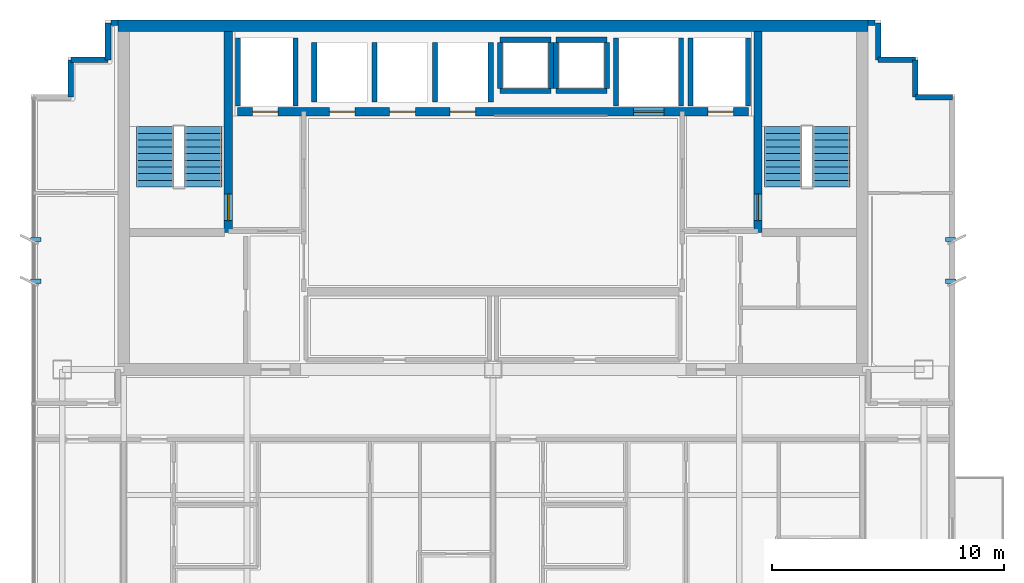
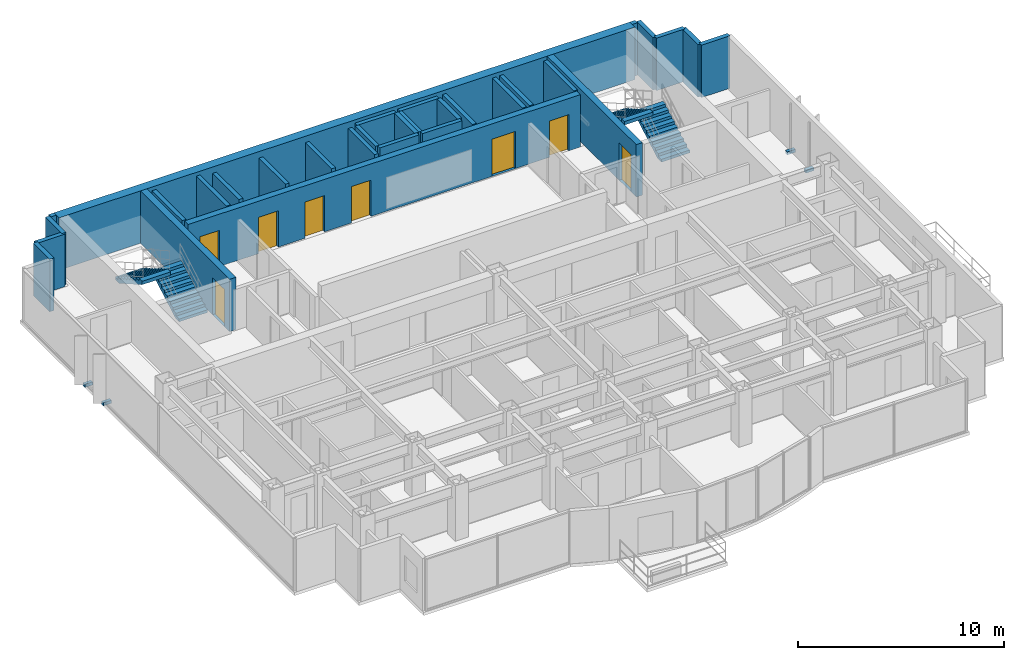
# One storey, part 9 of 11: 31 walls, 8 doors, 4 discrete accessories, 4 stair flights, 8 openings, 2 elements without a shape of their own.
"""IFC4 building model written with IfcOpenShell, lengths in metres."""

from ifc_helpers import new_model, si_unit, direction, frame, frame_2d, origin, origin_2d, place, context, subcontext, project, spatial, polyline, rectangle, outline, extrude, source, transform, mapped, material, layer, layer_set, type_object, element, fill, aggregate, save


model = new_model("IFC4")

# Units and contexts
model_context = context("Model", 3, precision=1e-05, world=origin(), true_north=direction((0.0, 1.0)))
body_context = subcontext(model_context, "Body", "Model", "MODEL_VIEW")
ifc_project = project(units=[si_unit("LENGTHUNIT", "METRE"), si_unit("AREAUNIT", "SQUARE_METRE"), si_unit("VOLUMEUNIT", "CUBIC_METRE"), si_unit("PLANEANGLEUNIT", "RADIAN"), si_unit("MASSUNIT", "GRAM", prefix="KILO")], contexts=[model_context])

# Site, building, storey
site_placement = place(None, origin())
site = spatial("IfcSite", under=ifc_project, at=site_placement, CompositionType="ELEMENT")
building_placement = place(site_placement, origin())
building = spatial("IfcBuilding", under=site, at=building_placement, Name="Qianlan Lanfeng Residences", CompositionType="ELEMENT")
storey_placement = place(building_placement, frame((0.0, 0.0, 223.10009765625)))
storey = spatial("IfcBuildingStorey", under=building, at=storey_placement, Name="L61", CompositionType="ELEMENT", Elevation=223.10009765625)

# Wall, opening, door
ifc_material_1 = material(Name="Concrete C49", Category="concrete")
ifc_layer_1 = layer(ifc_material_1, 0.35009765625)
ifc_layer_set_1 = layer_set([ifc_layer_1], Name="Concrete C49")
wall_type_1 = type_object("IfcWallType", Name="CW-RC-350", PredefinedType="SHEAR", material=ifc_layer_set_1)
wall_1_placement = place(storey_placement, frame((15.10009765625, 31.10009765625, 0.0), z_axis=(0.0, 0.0, 1.0), x_axis=(0.0, 1.0, 0.0)))
wall_1 = element("IfcWall", 1, at=wall_1_placement, inside=storey, type_object=wall_type_1, Name="L61 Core Shear Wall ST1E", PredefinedType="SHEAR", context=body_context, shape_type="SweptSolid", body=[
    extrude(rectangle(XDim=8.64990234375, YDim=0.35009765625, at=frame_2d((4.324951171875, 0.0))), origin(), (0.0, 0.0, 1.0), 3.10986328125),
])
opening_1_placement = place(wall_1_placement, frame((0.510009765625, 0.0, 0.0)))
opening_1 = element("IfcOpeningElement", 2, at=opening_1_placement, cuts=wall_1, Name="Opening L61-D07", PredefinedType="OPENING", context=body_context, shape_type="SweptSolid", body=[
    extrude(rectangle(XDim=1.14990234375, YDim=2.199951171875, at=frame_2d((0.574951171875, 1.10009765625))), frame((0.0, 0.18505859375, 0.0), z_axis=(0.0, -1.0, 0.0), x_axis=(1.0, 0.0, 0.0)), (0.0, 0.0, 1.0), 0.3701171875),
])
ifc_material_2 = material(Name="Painted Galvanised Steel Fire Door", Category="steel")
door_type_1 = type_object("IfcDoorType", Name="DT-ST1", OperationType="NOTDEFINED", PredefinedType="DOOR", material=ifc_material_2)
door_1_placement = place(opening_1_placement, frame((1.14990234375, 0.0, 0.0), z_axis=(0.0, 0.0, 1.0), x_axis=(-1.0, 0.0, 0.0)))
door_1 = element("IfcDoor", 3, at=door_1_placement, inside=storey, type_object=door_type_1, Name="L61 Exit Stair ST-1 Door L61-D07 (DT-ST1)", OperationType="SINGLE_SWING_RIGHT", OverallHeight=2.199951171875, OverallWidth=1.14990234375, PredefinedType="DOOR", context=body_context, shape_type="SweptSolid", body=[
    extrude(rectangle(XDim=1.14990234375, YDim=2.199951171875, at=frame_2d((0.574951171875, 1.10009765625))), frame((0.0, 0.02490234375, 0.0), z_axis=(0.0, -1.0, 0.0), x_axis=(1.0, 0.0, 0.0)), (0.0, 0.0, 1.0), 0.050048828125),
])
fill(opening_1, door_1)

wall_2_placement = place(storey_placement, frame((37.89990234375, 31.10009765625, 0.0), z_axis=(0.0, 0.0, 1.0), x_axis=(0.0, 1.0, 0.0)))
wall_2 = element("IfcWall", 4, at=wall_2_placement, inside=storey, type_object=wall_type_1, Name="L61 Core Shear Wall ST2W", PredefinedType="SHEAR", context=body_context, shape_type="SweptSolid", body=[
    extrude(rectangle(XDim=8.64990234375, YDim=0.35009765625, at=frame_2d((4.324951171875, 0.0))), origin(), (0.0, 0.0, 1.0), 3.10986328125),
])
opening_2_placement = place(wall_2_placement, frame((0.510009765625, 0.0, 0.0)))
opening_2 = element("IfcOpeningElement", 5, at=opening_2_placement, cuts=wall_2, Name="Opening L61-D08", PredefinedType="OPENING", context=body_context, shape_type="SweptSolid", body=[
    extrude(rectangle(XDim=1.14990234375, YDim=2.199951171875, at=frame_2d((0.574951171875, 1.10009765625))), frame((0.0, 0.18505859375, 0.0), z_axis=(0.0, -1.0, 0.0), x_axis=(1.0, 0.0, 0.0)), (0.0, 0.0, 1.0), 0.3701171875),
])
door_2_placement = place(opening_2_placement, origin())
door_2 = element("IfcDoor", 6, at=door_2_placement, inside=storey, type_object=door_type_1, Name="L61 Exit Stair ST-2 Door L61-D08 (DT-ST1)", OperationType="SINGLE_SWING_RIGHT", OverallHeight=2.199951171875, OverallWidth=1.14990234375, PredefinedType="DOOR", context=body_context, shape_type="SweptSolid", body=[
    extrude(rectangle(XDim=1.14990234375, YDim=2.199951171875, at=frame_2d((0.574951171875, 1.10009765625))), frame((0.0, 0.02490234375, 0.0), z_axis=(0.0, -1.0, 0.0), x_axis=(1.0, 0.0, 0.0)), (0.0, 0.0, 1.0), 0.050048828125),
])
fill(opening_2, door_2)

# Wall, openings, doors
wall_3_placement = place(storey_placement, frame((15.5, 36.300048828125, 0.0), z_axis=(0.0, 0.0, 1.0), x_axis=(1.0, 0.0, 0.0)))
wall_3 = element("IfcWall", 7, at=wall_3_placement, inside=storey, type_object=wall_type_1, Name="L61 Core Shear Wall LBN", PredefinedType="SHEAR", context=body_context, shape_type="SweptSolid", body=[
    extrude(rectangle(XDim=22.0, YDim=0.35009765625, at=frame_2d((11.0, 0.0))), origin(), (0.0, 0.0, 1.0), 3.10986328125),
])
opening_3_placement = place(wall_3_placement, frame((0.64990234375, 0.0, 0.0)))
opening_3 = element("IfcOpeningElement", 8, at=opening_3_placement, cuts=wall_3, Name="Opening L61-LD-FFL-1", PredefinedType="OPENING", context=body_context, shape_type="SweptSolid", body=[
    extrude(rectangle(XDim=1.10009765625, YDim=2.14990234375, at=frame_2d((0.550048828125, 1.074951171875))), frame((0.0, 0.18505859375, 0.0), z_axis=(0.0, -1.0, 0.0), x_axis=(1.0, 0.0, 0.0)), (0.0, 0.0, 1.0), 0.3701171875),
])
opening_4_placement = place(wall_3_placement, frame((20.25, 0.0, 0.0)))
opening_4 = element("IfcOpeningElement", 9, at=opening_4_placement, cuts=wall_3, Name="Opening L61-LD-FFL-2", PredefinedType="OPENING", context=body_context, shape_type="SweptSolid", body=[
    extrude(rectangle(XDim=1.10009765625, YDim=2.14990234375, at=frame_2d((0.550048828125, 1.074951171875))), frame((0.0, 0.18505859375, 0.0), z_axis=(0.0, -1.0, 0.0), x_axis=(1.0, 0.0, 0.0)), (0.0, 0.0, 1.0), 0.3701171875),
])
opening_5_placement = place(wall_3_placement, frame((17.050048828125, 0.0, 0.0)))
opening_5 = element("IfcOpeningElement", 10, at=opening_5_placement, cuts=wall_3, Name="Opening L61-LD-SVL-1", PredefinedType="OPENING", context=body_context, shape_type="SweptSolid", body=[
    extrude(rectangle(XDim=1.300048828125, YDim=2.199951171875, at=frame_2d((0.64990234375, 1.10009765625))), frame((0.0, 0.18505859375, 0.0), z_axis=(0.0, -1.0, 0.0), x_axis=(1.0, 0.0, 0.0)), (0.0, 0.0, 1.0), 0.3701171875),
])
opening_6_placement = place(wall_3_placement, frame((3.949951171875, 0.0, 0.0)))
opening_6 = element("IfcOpeningElement", 11, at=opening_6_placement, cuts=wall_3, Name="Opening L61-LD-PL-H1", PredefinedType="OPENING", context=body_context, shape_type="SweptSolid", body=[
    extrude(rectangle(XDim=1.10009765625, YDim=2.14990234375, at=frame_2d((0.550048828125, 1.074951171875))), frame((0.0, 0.18505859375, 0.0), z_axis=(0.0, -1.0, 0.0), x_axis=(1.0, 0.0, 0.0)), (0.0, 0.0, 1.0), 0.3701171875),
])
opening_7_placement = place(wall_3_placement, frame((6.550048828125, 0.0, 0.0)))
opening_7 = element("IfcOpeningElement", 12, at=opening_7_placement, cuts=wall_3, Name="Opening L61-LD-PL-H2", PredefinedType="OPENING", context=body_context, shape_type="SweptSolid", body=[
    extrude(rectangle(XDim=1.10009765625, YDim=2.14990234375, at=frame_2d((0.550048828125, 1.074951171875))), frame((0.0, 0.18505859375, 0.0), z_axis=(0.0, -1.0, 0.0), x_axis=(1.0, 0.0, 0.0)), (0.0, 0.0, 1.0), 0.3701171875),
])
opening_8_placement = place(wall_3_placement, frame((9.14990234375, 0.0, 0.0)))
opening_8 = element("IfcOpeningElement", 13, at=opening_8_placement, cuts=wall_3, Name="Opening L61-LD-PL-H3", PredefinedType="OPENING", context=body_context, shape_type="SweptSolid", body=[
    extrude(rectangle(XDim=1.10009765625, YDim=2.14990234375, at=frame_2d((0.550048828125, 1.074951171875))), frame((0.0, 0.18505859375, 0.0), z_axis=(0.0, -1.0, 0.0), x_axis=(1.0, 0.0, 0.0)), (0.0, 0.0, 1.0), 0.3701171875),
])
ifc_material_3 = material(Name="Brushed Stainless Steel Sliding Lift Door", Category="steel")
door_type_2 = type_object("IfcDoorType", Name="LD-01", OperationType="NOTDEFINED", PredefinedType="DOOR", material=ifc_material_3)
door_3_placement = place(opening_3_placement, frame((1.10009765625, 0.0, 0.0), z_axis=(0.0, 0.0, 1.0), x_axis=(-1.0, 0.0, 0.0)))
door_3 = element("IfcDoor", 14, at=door_3_placement, inside=storey, type_object=door_type_2, Name="L61 Elevator FFL-1 Sliding Landing Door", OperationType="DOUBLE_DOOR_SLIDING", OverallHeight=2.14990234375, OverallWidth=1.10009765625, PredefinedType="DOOR", context=body_context, shape_type="SweptSolid", body=[
    extrude(rectangle(XDim=1.10009765625, YDim=2.14990234375, at=frame_2d((0.550048828125, 1.074951171875))), frame((0.0, 0.02490234375, 0.0), z_axis=(0.0, -1.0, 0.0), x_axis=(1.0, 0.0, 0.0)), (0.0, 0.0, 1.0), 0.050048828125),
])
fill(opening_3, door_3)
door_4_placement = place(opening_4_placement, frame((1.10009765625, 0.0, 0.0), z_axis=(0.0, 0.0, 1.0), x_axis=(-1.0, 0.0, 0.0)))
door_4 = element("IfcDoor", 15, at=door_4_placement, inside=storey, type_object=door_type_2, Name="L61 Elevator FFL-2 Sliding Landing Door", OperationType="DOUBLE_DOOR_SLIDING", OverallHeight=2.14990234375, OverallWidth=1.10009765625, PredefinedType="DOOR", context=body_context, shape_type="SweptSolid", body=[
    extrude(rectangle(XDim=1.10009765625, YDim=2.14990234375, at=frame_2d((0.550048828125, 1.074951171875))), frame((0.0, 0.02490234375, 0.0), z_axis=(0.0, -1.0, 0.0), x_axis=(1.0, 0.0, 0.0)), (0.0, 0.0, 1.0), 0.050048828125),
])
fill(opening_4, door_4)
door_5_placement = place(opening_6_placement, frame((1.10009765625, 0.0, 0.0), z_axis=(0.0, 0.0, 1.0), x_axis=(-1.0, 0.0, 0.0)))
door_5 = element("IfcDoor", 16, at=door_5_placement, inside=storey, type_object=door_type_2, Name="L61 Elevator PL-H1 Sliding Landing Door", OperationType="DOUBLE_DOOR_SLIDING", OverallHeight=2.14990234375, OverallWidth=1.10009765625, PredefinedType="DOOR", context=body_context, shape_type="SweptSolid", body=[
    extrude(rectangle(XDim=1.10009765625, YDim=2.14990234375, at=frame_2d((0.550048828125, 1.074951171875))), frame((0.0, 0.02490234375, 0.0), z_axis=(0.0, -1.0, 0.0), x_axis=(1.0, 0.0, 0.0)), (0.0, 0.0, 1.0), 0.050048828125),
])
fill(opening_6, door_5)
door_6_placement = place(opening_7_placement, frame((1.10009765625, 0.0, 0.0), z_axis=(0.0, 0.0, 1.0), x_axis=(-1.0, 0.0, 0.0)))
door_6 = element("IfcDoor", 17, at=door_6_placement, inside=storey, type_object=door_type_2, Name="L61 Elevator PL-H2 Sliding Landing Door", OperationType="DOUBLE_DOOR_SLIDING", OverallHeight=2.14990234375, OverallWidth=1.10009765625, PredefinedType="DOOR", context=body_context, shape_type="SweptSolid", body=[
    extrude(rectangle(XDim=1.10009765625, YDim=2.14990234375, at=frame_2d((0.550048828125, 1.074951171875))), frame((0.0, 0.02490234375, 0.0), z_axis=(0.0, -1.0, 0.0), x_axis=(1.0, 0.0, 0.0)), (0.0, 0.0, 1.0), 0.050048828125),
])
fill(opening_7, door_6)
door_7_placement = place(opening_8_placement, frame((1.10009765625, 0.0, 0.0), z_axis=(0.0, 0.0, 1.0), x_axis=(-1.0, 0.0, 0.0)))
door_7 = element("IfcDoor", 18, at=door_7_placement, inside=storey, type_object=door_type_2, Name="L61 Elevator PL-H3 Sliding Landing Door", OperationType="DOUBLE_DOOR_SLIDING", OverallHeight=2.14990234375, OverallWidth=1.10009765625, PredefinedType="DOOR", context=body_context, shape_type="SweptSolid", body=[
    extrude(rectangle(XDim=1.10009765625, YDim=2.14990234375, at=frame_2d((0.550048828125, 1.074951171875))), frame((0.0, 0.02490234375, 0.0), z_axis=(0.0, -1.0, 0.0), x_axis=(1.0, 0.0, 0.0)), (0.0, 0.0, 1.0), 0.050048828125),
])
fill(opening_8, door_7)
door_type_3 = type_object("IfcDoorType", Name="LD-02", OperationType="NOTDEFINED", PredefinedType="DOOR", material=ifc_material_3)
door_8_placement = place(opening_5_placement, frame((1.300048828125, 0.0, 0.0), z_axis=(0.0, 0.0, 1.0), x_axis=(-1.0, 0.0, 0.0)))
door_8 = element("IfcDoor", 19, at=door_8_placement, inside=storey, type_object=door_type_3, Name="L61 Elevator SVL-1 Sliding Landing Door", OperationType="DOUBLE_DOOR_SLIDING", OverallHeight=2.199951171875, OverallWidth=1.300048828125, PredefinedType="DOOR", context=body_context, shape_type="SweptSolid", body=[
    extrude(rectangle(XDim=1.300048828125, YDim=2.199951171875, at=frame_2d((0.64990234375, 1.10009765625))), frame((0.0, 0.02490234375, 0.0), z_axis=(0.0, -1.0, 0.0), x_axis=(1.0, 0.0, 0.0)), (0.0, 0.0, 1.0), 0.050048828125),
])
fill(opening_5, door_8)

# Walls
ifc_material_4 = material(Name="Concrete C70", Category="concrete")
ifc_layer_2 = layer(ifc_material_4, 0.5)
ifc_layer_set_2 = layer_set([ifc_layer_2], Name="Concrete C70")
wall_type_2 = type_object("IfcWallType", Name="CW-RC-500", PredefinedType="SHEAR", material=ifc_layer_set_2)
wall_4_placement = place(storey_placement, frame((10.35009765625, 40.0, 0.0), z_axis=(0.0, 0.0, 1.0), x_axis=(1.0, 0.0, 0.0)))
element("IfcWall", 20, at=wall_4_placement, inside=storey, type_object=wall_type_2, Name="L61 Core Shear Wall N", PredefinedType="SHEAR", context=body_context, shape_type="SweptSolid", body=[
    extrude(rectangle(XDim=32.2998046875, YDim=0.5, at=frame_2d((16.14990234375, 0.0))), origin(), (0.0, 0.0, 1.0), 3.10986328125),
])
ifc_material_5 = material(Name="Concrete C42", Category="concrete")
ifc_layer_3 = layer(ifc_material_5, 0.239990234375)
ifc_layer_set_3 = layer_set([ifc_layer_3], Name="Concrete C42")
wall_type_3 = type_object("IfcWallType", Name="EW-240", PredefinedType="SOLIDWALL", material=ifc_layer_set_3)
for number, where, z_axis, x_axis, name in (
    (21, (46.280029296875, 36.929931640625, 0.0), (0.0, 0.0, 1.0), (-1.0, 0.0, 0.0), "L61 Exterior Facade Spandrel Wall 13"),
    (22, (44.679931640625, 36.929931640625, 0.0), (0.0, 0.0, 1.0), (0.0, 1.0, 0.0), "L61 Exterior Facade Spandrel Wall 14"),
):
    element("IfcWall", number, at=place(storey_placement, frame(where, z_axis=z_axis, x_axis=x_axis)), inside=storey, type_object=wall_type_3, Name=name, PredefinedType="SOLIDWALL", context=body_context, shape_type="SweptSolid", body=[
        extrude(rectangle(XDim=1.60009765625, YDim=0.239990234375, at=frame_2d((0.800048828125, 0.0))), origin(), (0.0, 0.0, 1.0), 3.10986328125),
    ])
for number, where, z_axis, x_axis, name in (
    (23, (44.679931640625, 38.530029296875, 0.0), (0.0, 0.0, 1.0), (-1.0, 0.0, 0.0), "L61 Exterior Facade Spandrel Wall 15"),
    (24, (43.080078125, 38.530029296875, 0.0), (0.0, 0.0, 1.0), (0.0, 1.0, 0.0), "L61 Exterior Facade Spandrel Wall 16"),
):
    element("IfcWall", number, at=place(storey_placement, frame(where, z_axis=z_axis, x_axis=x_axis)), inside=storey, type_object=wall_type_3, Name=name, PredefinedType="SOLIDWALL", context=body_context, shape_type="SweptSolid", body=[
        extrude(rectangle(XDim=1.599853515625, YDim=0.239990234375, at=frame_2d((0.7998046875, 0.0))), origin(), (0.0, 0.0, 1.0), 3.10986328125),
    ])
for number, where, z_axis, x_axis, name in (
    (25, (42.949951171875, 40.1298828125, 0.0), (0.0, 0.0, 1.0), (-1.0, 0.0, 0.0), "L61 North Wing Exterior Wall E"),
    (26, (10.35009765625, 40.1298828125, 0.0), (0.0, 0.0, 1.0), (-1.0, 0.0, 0.0), "L61 North Wing Exterior Wall W"),
):
    element("IfcWall", number, at=place(storey_placement, frame(where, z_axis=z_axis, x_axis=x_axis)), inside=storey, type_object=wall_type_3, Name=name, PredefinedType="SOLIDWALL", context=body_context, shape_type="SweptSolid", body=[
        extrude(rectangle(XDim=0.300048828125, YDim=0.239990234375, at=frame_2d((0.14990234375, 0.0))), origin(), (0.0, 0.0, 1.0), 3.10986328125),
    ])
for number, where, z_axis, x_axis, name in (
    (27, (9.919921875, 40.1298828125, 0.0), (0.0, 0.0, 1.0), (0.0, -1.0, 0.0), "L61 Exterior Facade Spandrel Wall 19"),
    (28, (9.919921875, 38.530029296875, 0.0), (0.0, 0.0, 1.0), (-1.0, 0.0, 0.0), "L61 Exterior Facade Spandrel Wall 20"),
):
    element("IfcWall", number, at=place(storey_placement, frame(where, z_axis=z_axis, x_axis=x_axis)), inside=storey, type_object=wall_type_3, Name=name, PredefinedType="SOLIDWALL", context=body_context, shape_type="SweptSolid", body=[
        extrude(rectangle(XDim=1.599853515625, YDim=0.239990234375, at=frame_2d((0.7998046875, 0.0))), origin(), (0.0, 0.0, 1.0), 3.10986328125),
    ])
wall_5_placement = place(storey_placement, frame((8.320068359375, 38.530029296875, 0.0), z_axis=(0.0, 0.0, 1.0), x_axis=(0.0, -1.0, 0.0)))
element("IfcWall", 29, at=wall_5_placement, inside=storey, type_object=wall_type_3, Name="L61 Exterior Facade Spandrel Wall 21", PredefinedType="SOLIDWALL", context=body_context, shape_type="SweptSolid", body=[
    extrude(rectangle(XDim=1.60009765625, YDim=0.239990234375, at=frame_2d((0.800048828125, 0.0))), origin(), (0.0, 0.0, 1.0), 3.10986328125),
])
ifc_layer_4 = layer(ifc_material_1, 0.219970703125)
ifc_layer_set_4 = layer_set([ifc_layer_4], Name="Concrete C49")
wall_type_4 = type_object("IfcWallType", Name="SHW-220", PredefinedType="SOLIDWALL", material=ifc_layer_set_4)
for number, where, z_axis, x_axis, name in (
    (30, (15.52001953125, 36.550048828125, 0.0), (0.0, 0.0, 1.0), (0.0, 1.0, 0.0), "L61 Lift FFL-1 Shaft Wall W"),
    (31, (18.0, 36.550048828125, 0.0), (0.0, 0.0, 1.0), (0.0, 1.0, 0.0), "L61 Lift FFL-1 Shaft Wall E"),
    (32, (35.0, 36.550048828125, 0.0), (0.0, 0.0, 1.0), (0.0, 1.0, 0.0), "L61 Lift FFL-2 Shaft Wall W"),
    (33, (37.47998046875, 36.550048828125, 0.0), (0.0, 0.0, 1.0), (0.0, 1.0, 0.0), "L61 Lift FFL-2 Shaft Wall E"),
    (34, (31.800048828125, 36.550048828125, 0.0), (0.0, 0.0, 1.0), (0.0, 1.0, 0.0), "L61 Lift SVL-1 Shaft Wall W"),
    (35, (34.60009765625, 36.550048828125, 0.0), (0.0, 0.0, 1.0), (0.0, 1.0, 0.0), "L61 Lift SVL-1 Shaft Wall E"),
):
    element("IfcWall", number, at=place(storey_placement, frame(where, z_axis=z_axis, x_axis=x_axis)), inside=storey, type_object=wall_type_4, Name=name, PredefinedType="SOLIDWALL", context=body_context, shape_type="SweptSolid", body=[
        extrude(rectangle(XDim=2.929931640625, YDim=0.219970703125, at=frame_2d((1.46484375, 0.0))), origin(), (0.0, 0.0, 1.0), 3.10986328125),
    ])
for number, where, z_axis, x_axis, name in (
    (36, (18.800048828125, 36.719970703125, 0.0), (0.0, 0.0, 1.0), (0.0, 1.0, 0.0), "L61 Lift PL-H1 Shaft Wall W"),
    (37, (21.39990234375, 36.719970703125, 0.0), (0.0, 0.0, 1.0), (0.0, 1.0, 0.0), "L61 Lift PL-H2 Shaft Wall W"),
    (38, (24.0, 36.719970703125, 0.0), (0.0, 0.0, 1.0), (0.0, 1.0, 0.0), "L61 Lift PL-H3 Shaft Wall W"),
    (39, (26.39990234375, 36.719970703125, 0.0), (0.0, 0.0, 1.0), (0.0, 1.0, 0.0), "L61 Lift PL-H3 Shaft Wall E"),
):
    element("IfcWall", number, at=place(storey_placement, frame(where, z_axis=z_axis, x_axis=x_axis)), inside=storey, type_object=wall_type_4, Name=name, PredefinedType="SOLIDWALL", context=body_context, shape_type="SweptSolid", body=[
        extrude(rectangle(XDim=2.56005859375, YDim=0.219970703125, at=frame_2d((1.280029296875, 0.0))), origin(), (0.0, 0.0, 1.0), 3.10986328125),
    ])
for number, where, z_axis, x_axis, name in (
    (40, (26.800048828125, 37.31005859375, 0.0), (0.0, 0.0, 1.0), (0.0, 1.0, 0.0), "L61 MEP Riser MEP-R1 Shaft Wall W"),
    (41, (29.0, 37.31005859375, 0.0), (0.0, 0.0, 1.0), (0.0, 1.0, 0.0), "L61 MEP Riser MEP-R1 Shaft Wall E"),
):
    element("IfcWall", number, at=place(storey_placement, frame(where, z_axis=z_axis, x_axis=x_axis)), inside=storey, type_object=wall_type_4, Name=name, PredefinedType="SOLIDWALL", context=body_context, shape_type="SweptSolid", body=[
        extrude(rectangle(XDim=1.97998046875, YDim=0.219970703125, at=frame_2d((0.989990234375, 0.0))), origin(), (0.0, 0.0, 1.0), 3.10986328125),
    ])
for number, where, z_axis, x_axis, name in (
    (42, (26.800048828125, 39.39990234375, 0.0), (0.0, 0.0, 1.0), (1.0, 0.0, 0.0), "L61 MEP Riser MEP-R1 Shaft Wall N"),
    (43, (26.800048828125, 37.199951171875, 0.0), (0.0, 0.0, 1.0), (1.0, 0.0, 0.0), "L61 MEP Riser MEP-R1 Shaft Wall S"),
):
    element("IfcWall", number, at=place(storey_placement, frame(where, z_axis=z_axis, x_axis=x_axis)), inside=storey, type_object=wall_type_4, Name=name, PredefinedType="SOLIDWALL", context=body_context, shape_type="SweptSolid", body=[
        extrude(rectangle(XDim=2.199951171875, YDim=0.219970703125, at=frame_2d((1.10009765625, 0.0))), origin(), (0.0, 0.0, 1.0), 3.10986328125),
    ])
for number, where, z_axis, x_axis, name in (
    (44, (29.199951171875, 37.31005859375, 0.0), (0.0, 0.0, 1.0), (0.0, 1.0, 0.0), "L61 MEP Riser MEP-R2 Shaft Wall W"),
    (45, (31.39990234375, 37.31005859375, 0.0), (0.0, 0.0, 1.0), (0.0, 1.0, 0.0), "L61 MEP Riser MEP-R2 Shaft Wall E"),
):
    element("IfcWall", number, at=place(storey_placement, frame(where, z_axis=z_axis, x_axis=x_axis)), inside=storey, type_object=wall_type_4, Name=name, PredefinedType="SOLIDWALL", context=body_context, shape_type="SweptSolid", body=[
        extrude(rectangle(XDim=1.97998046875, YDim=0.219970703125, at=frame_2d((0.989990234375, 0.0))), origin(), (0.0, 0.0, 1.0), 3.10986328125),
    ])
for number, where, z_axis, x_axis, name in (
    (46, (29.199951171875, 39.39990234375, 0.0), (0.0, 0.0, 1.0), (1.0, 0.0, 0.0), "L61 MEP Riser MEP-R2 Shaft Wall N"),
    (47, (29.199951171875, 37.199951171875, 0.0), (0.0, 0.0, 1.0), (1.0, 0.0, 0.0), "L61 MEP Riser MEP-R2 Shaft Wall S"),
):
    element("IfcWall", number, at=place(storey_placement, frame(where, z_axis=z_axis, x_axis=x_axis)), inside=storey, type_object=wall_type_4, Name=name, PredefinedType="SOLIDWALL", context=body_context, shape_type="SweptSolid", body=[
        extrude(rectangle(XDim=2.199951171875, YDim=0.219970703125, at=frame_2d((1.10009765625, 0.0))), origin(), (0.0, 0.0, 1.0), 3.10986328125),
    ])

# Stair, stair flights
stair_type = type_object("IfcStairType", Name="STR-MAIN", PredefinedType="HALF_TURN_STAIR", material=ifc_material_5)
stair_1_placement = place(storey_placement, origin())
stair_1 = element("IfcStair", 48, at=stair_1_placement, inside=storey, type_object=stair_type, Name="L61 Exit Stair ST-1", PredefinedType="HALF_TURN_STAIR")
stair_flight_type = type_object("IfcStairFlightType", Name="FLT-1720", PredefinedType="STRAIGHT", material=ifc_material_5)
stair_flight_1_placement = place(storey_placement, frame((14.02001953125, 33.050048828125, 0.0), z_axis=(0.0, 0.0, 1.0), x_axis=(0.0, 1.0, 0.0)))
stair_flight_1 = element("IfcStairFlight", 49, at=stair_flight_1_placement, type_object=stair_flight_type, Name="ST-1 flight 1", NumberOfRisers=10, NumberOfTreads=9, PredefinedType="STRAIGHT", RiserHeight=0.165, TreadLength=0.29, context=body_context, shape_type="SweptSolid", body=[
    extrude(outline(polyline([(0.0, 0.0), (0.0, 0.1650390625), (0.2900390625, 0.1650390625), (0.2900390625, 0.330078125), (0.580078125, 0.330078125), (0.580078125, 0.4951171875), (0.8701171875, 0.4951171875), (0.8701171875, 0.659912109375), (1.159912109375, 0.659912109375), (1.159912109375, 0.824951171875), (1.449951171875, 0.824951171875), (1.449951171875, 0.989990234375), (1.739990234375, 0.989990234375), (1.739990234375, 1.155029296875), (2.030029296875, 1.155029296875), (2.030029296875, 1.320068359375), (2.320068359375, 1.320068359375), (2.320068359375, 1.485107421875), (2.610107421875, 1.485107421875), (2.610107421875, 1.64990234375), (2.610107421875, 1.278076171875), (0.36376953125, 0.0), (0.0, 0.0)])), frame((0.0, 0.800048828125, 0.0), z_axis=(0.0, -1.0, 0.0), x_axis=(1.0, 0.0, 0.0)), (0.0, 0.0, 1.0), 1.60009765625),
])
stair_flight_2_placement = place(storey_placement, frame((11.93994140625, 35.659912109375, 1.64990234375), z_axis=(0.0, 0.0, 1.0), x_axis=(0.0, -1.0, 0.0)))
stair_flight_2 = element("IfcStairFlight", 50, at=stair_flight_2_placement, type_object=stair_flight_type, Name="ST-1 flight 2", NumberOfRisers=10, NumberOfTreads=9, PredefinedType="STRAIGHT", RiserHeight=0.165, TreadLength=0.29, context=body_context, shape_type="SweptSolid", body=[
    extrude(outline(polyline([(0.0, 0.0), (0.0, 0.1650390625), (0.2900390625, 0.1650390625), (0.2900390625, 0.330078125), (0.580078125, 0.330078125), (0.580078125, 0.4951171875), (0.8701171875, 0.4951171875), (0.8701171875, 0.659912109375), (1.159912109375, 0.659912109375), (1.159912109375, 0.824951171875), (1.449951171875, 0.824951171875), (1.449951171875, 0.989990234375), (1.739990234375, 0.989990234375), (1.739990234375, 1.155029296875), (2.030029296875, 1.155029296875), (2.030029296875, 1.320068359375), (2.320068359375, 1.320068359375), (2.320068359375, 1.485107421875), (2.610107421875, 1.485107421875), (2.610107421875, 1.64990234375), (2.610107421875, 1.278076171875), (0.36376953125, 0.0), (0.0, 0.0)])), frame((0.0, 0.800048828125, 0.0), z_axis=(0.0, -1.0, 0.0), x_axis=(1.0, 0.0, 0.0)), (0.0, 0.0, 1.0), 1.60009765625),
])
aggregate(stair_1, [stair_flight_1, stair_flight_2])

stair_2_placement = place(storey_placement, origin())
stair_2 = element("IfcStair", 51, at=stair_2_placement, inside=storey, type_object=stair_type, Name="L61 Exit Stair ST-2", PredefinedType="HALF_TURN_STAIR")
stair_flight_3_placement = place(storey_placement, frame((41.06005859375, 33.050048828125, 0.0), z_axis=(0.0, 0.0, 1.0), x_axis=(0.0, 1.0, 0.0)))
stair_flight_3 = element("IfcStairFlight", 52, at=stair_flight_3_placement, type_object=stair_flight_type, Name="ST-2 flight 1", NumberOfRisers=10, NumberOfTreads=9, PredefinedType="STRAIGHT", RiserHeight=0.165, TreadLength=0.29, context=body_context, shape_type="SweptSolid", body=[
    extrude(outline(polyline([(0.0, 0.0), (0.0, 0.1650390625), (0.2900390625, 0.1650390625), (0.2900390625, 0.330078125), (0.580078125, 0.330078125), (0.580078125, 0.4951171875), (0.8701171875, 0.4951171875), (0.8701171875, 0.659912109375), (1.159912109375, 0.659912109375), (1.159912109375, 0.824951171875), (1.449951171875, 0.824951171875), (1.449951171875, 0.989990234375), (1.739990234375, 0.989990234375), (1.739990234375, 1.155029296875), (2.030029296875, 1.155029296875), (2.030029296875, 1.320068359375), (2.320068359375, 1.320068359375), (2.320068359375, 1.485107421875), (2.610107421875, 1.485107421875), (2.610107421875, 1.64990234375), (2.610107421875, 1.278076171875), (0.36376953125, 0.0), (0.0, 0.0)])), frame((0.0, 0.800048828125, 0.0), z_axis=(0.0, -1.0, 0.0), x_axis=(1.0, 0.0, 0.0)), (0.0, 0.0, 1.0), 1.60009765625),
])
stair_flight_4_placement = place(storey_placement, frame((38.97998046875, 35.659912109375, 1.64990234375), z_axis=(0.0, 0.0, 1.0), x_axis=(0.0, -1.0, 0.0)))
stair_flight_4 = element("IfcStairFlight", 53, at=stair_flight_4_placement, type_object=stair_flight_type, Name="ST-2 flight 2", NumberOfRisers=10, NumberOfTreads=9, PredefinedType="STRAIGHT", RiserHeight=0.165, TreadLength=0.29, context=body_context, shape_type="SweptSolid", body=[
    extrude(outline(polyline([(0.0, 0.0), (0.0, 0.1650390625), (0.2900390625, 0.1650390625), (0.2900390625, 0.330078125), (0.580078125, 0.330078125), (0.580078125, 0.4951171875), (0.8701171875, 0.4951171875), (0.8701171875, 0.659912109375), (1.159912109375, 0.659912109375), (1.159912109375, 0.824951171875), (1.449951171875, 0.824951171875), (1.449951171875, 0.989990234375), (1.739990234375, 0.989990234375), (1.739990234375, 1.155029296875), (2.030029296875, 1.155029296875), (2.030029296875, 1.320068359375), (2.320068359375, 1.320068359375), (2.320068359375, 1.485107421875), (2.610107421875, 1.485107421875), (2.610107421875, 1.64990234375), (2.610107421875, 1.278076171875), (0.36376953125, 0.0), (0.0, 0.0)])), frame((0.0, 0.800048828125, 0.0), z_axis=(0.0, -1.0, 0.0), x_axis=(1.0, 0.0, 0.0)), (0.0, 0.0, 1.0), 1.60009765625),
])
aggregate(stair_2, [stair_flight_3, stair_flight_4])

# Discrete accessories
ifc_material_6 = material(Name="Stainless Steel Facade Bracket", Category="steel")
discrete_accessory_type = type_object("IfcDiscreteAccessoryType", Name="BRK-SS-350", PredefinedType="BRACKET", material=ifc_material_6)
shared_shape = source(origin(), body_context, "Body", "SweptSolid", [
    extrude(rectangle(XDim=0.449951171875, YDim=0.179931640625, at=origin_2d()), origin(), (0.0, 0.0, 1.0), 0.179931640625),
])
for number, where, z_axis, x_axis, name in (
    (54, (6.800048828125, 29.0, -0.14990234375), (0.0, 0.0, 1.0), (1.0, 0.0, 0.0), "L61 Raked Solar Fin Support Bracket W1"),
    (55, (6.800048828125, 30.800048828125, -0.14990234375), (0.0, 0.0, 1.0), (1.0, 0.0, 0.0), "L61 Raked Solar Fin Support Bracket W2"),
    (56, (46.199951171875, 29.0, -0.14990234375), (0.0, 0.0, 1.0), (1.0, 0.0, 0.0), "L61 Raked Solar Fin Support Bracket E1"),
    (57, (46.199951171875, 30.800048828125, -0.14990234375), (0.0, 0.0, 1.0), (1.0, 0.0, 0.0), "L61 Raked Solar Fin Support Bracket E2"),
):
    element("IfcDiscreteAccessory", number, at=place(storey_placement, frame(where, z_axis=z_axis, x_axis=x_axis)), inside=storey, type_object=discrete_accessory_type, Name=name, PredefinedType="BRACKET", context=body_context, shape_type="MappedRepresentation", body=[
        mapped(shared_shape, transform((0.0, 0.0, 0.0), scale=1.0)),
    ])

save(model, "model.ifc")
